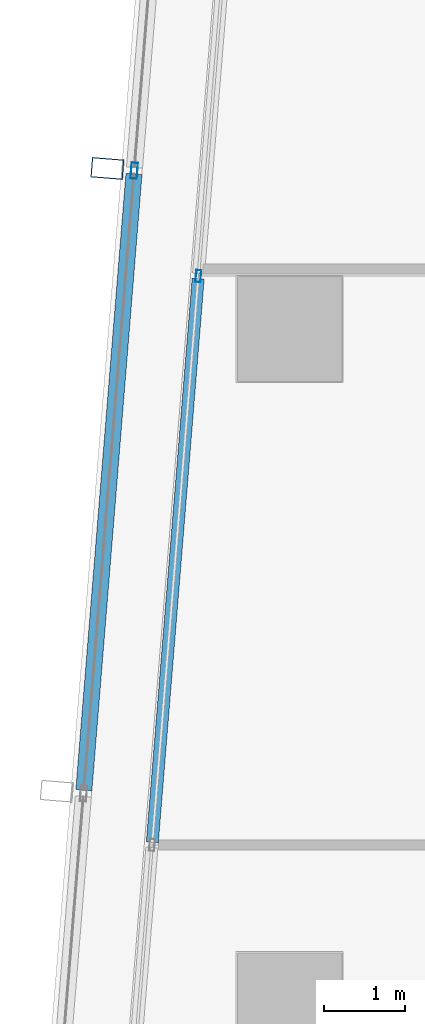
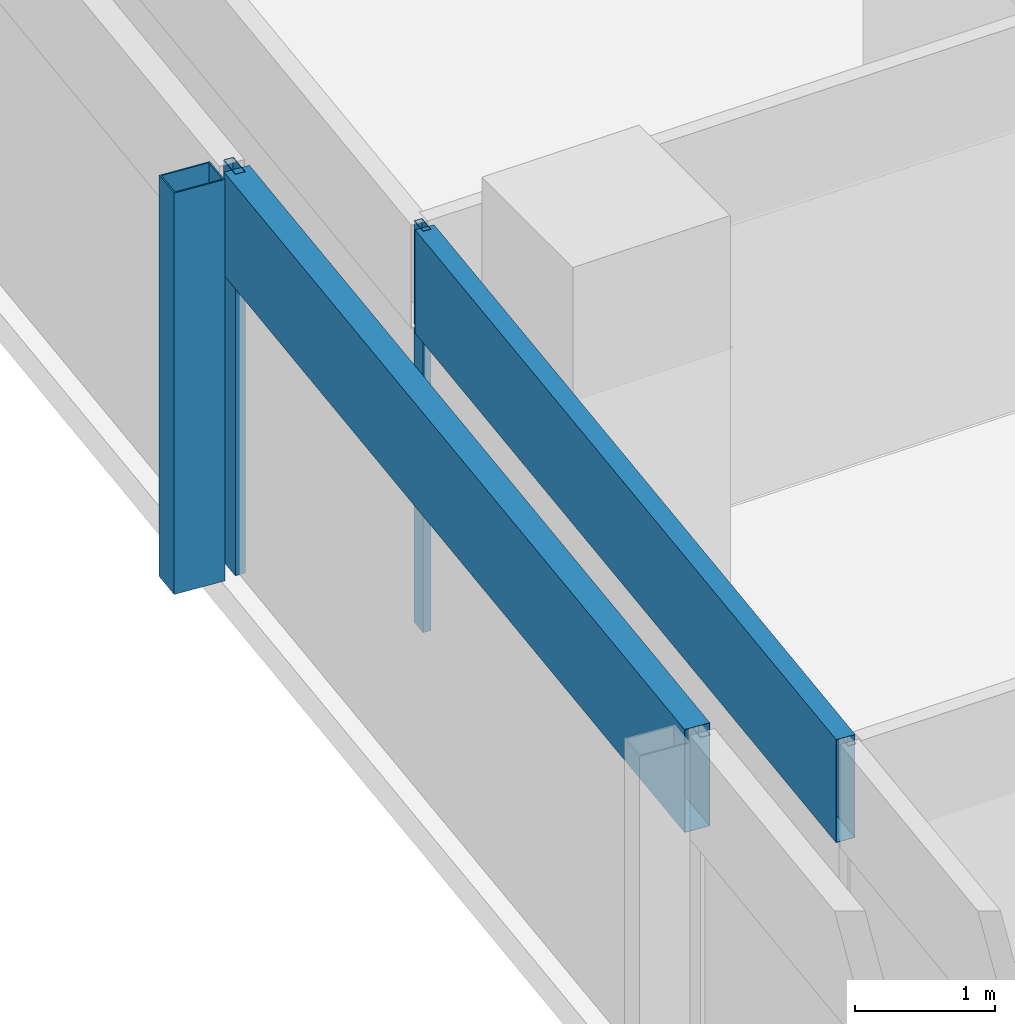
# One storey, part 8 of 29: 5 members, 2 elements without a shape of their own.
"""IFC4 building model written with IfcOpenShell, lengths in metres."""

from ifc_helpers import new_model, si_unit, direction, frame, origin, origin_2d, place, context, subcontext, project, spatial, hollow_rectangle, extrude, material, material_profile, profile_set, type_object, element, aggregate, save


model = new_model("IFC4")

# Units and contexts
model_context = context("Model", 3, precision=1e-05, world=origin(), true_north=direction((0.0, 1.0)))
body_context = subcontext(model_context, "Body", "Model", "MODEL_VIEW")
ifc_project = project(units=[si_unit("LENGTHUNIT", "METRE"), si_unit("AREAUNIT", "SQUARE_METRE"), si_unit("VOLUMEUNIT", "CUBIC_METRE"), si_unit("PLANEANGLEUNIT", "RADIAN"), si_unit("MASSUNIT", "GRAM", prefix="KILO")], contexts=[model_context])

# Site, building, storey
site_placement = place(None, origin())
site = spatial("IfcSite", under=ifc_project, at=site_placement, CompositionType="ELEMENT")
building_placement = place(site_placement, origin())
building = spatial("IfcBuilding", under=site, at=building_placement, Name="Rekha Terrace Tower", CompositionType="ELEMENT")
storey_placement = place(building_placement, frame((0.0, 0.0, 280.10009765625)))
storey = spatial("IfcBuildingStorey", under=building, at=storey_placement, Name="L71", CompositionType="ELEMENT", Elevation=280.10009765625)

# Curtain wall, member
ifc_material_1 = material(Name="Aluminium framing", Category="aluminium")
curtain_wall_type_1 = type_object("IfcCurtainWallType", Name="CW2 double skin outer glazing", PredefinedType="USERDEFINED", material=ifc_material_1)
curtain_wall_1_placement = place(storey_placement, origin())
curtain_wall_1 = element("IfcCurtainWall", 1, at=curtain_wall_1_placement, inside=storey, type_object=curtain_wall_type_1, Name="CW2 double skin outer glazing", ObjectType="DOUBLE SKIN OUTER GLAZING", PredefinedType="USERDEFINED")
ifc_material_2 = material(Name="Steel S355 with fluorocarbon finish", Category="steel")
ifc_material_profile_1 = material_profile(ifc_material_2, hollow_rectangle(XDim=0.25, YDim=0.39990234375, WallThickness=0.012451171875, at=origin_2d()), Name="RHS400x250x12.5")
ifc_profile_set_1 = profile_set([ifc_material_profile_1], Name="Steel S355 with fluorocarbon finish")
member_type_1 = type_object("IfcMemberType", Name="BL1 facade blade RHS 400 x 250", PredefinedType="USERDEFINED", material=ifc_profile_set_1)
member_1_placement = place(storey_placement, frame((6.135498046875, 43.9931640625, 0.0), z_axis=(0.0, 0.0, 1.0), x_axis=(-0.081068747348, -0.996708512156, 0.0)))
member_1 = element("IfcMember", 2, at=member_1_placement, type_object=member_type_1, Name="Facade blade", ObjectType="FACADE BLADE", PredefinedType="USERDEFINED", context=body_context, shape_type="SweptSolid", body=[
    extrude(hollow_rectangle(XDim=0.25, YDim=0.39990234375, WallThickness=0.012451171875, at=origin_2d()), origin(), (0.0, 0.0, 1.0), 3.5),
])

# Curtain wall, members
curtain_wall_type_2 = type_object("IfcCurtainWallType", Name="CW1 double skin inner glazing", PredefinedType="USERDEFINED", material=ifc_material_1)
curtain_wall_2_placement = place(storey_placement, origin())
curtain_wall_2 = element("IfcCurtainWall", 3, at=curtain_wall_2_placement, inside=storey, type_object=curtain_wall_type_2, Name="CW1 double skin inner glazing", ObjectType="DOUBLE SKIN INNER GLAZING", PredefinedType="USERDEFINED")
ifc_material_3 = material(Name="Aluminium mullion section", Category="aluminium")
ifc_material_profile_2 = material_profile(ifc_material_3, hollow_rectangle(XDim=0.06494140625, YDim=0.14990234375, WallThickness=0.00390625, at=origin_2d()), Name="AL RHS 65x150")
ifc_profile_set_2 = profile_set([ifc_material_profile_2], Name="Aluminium mullion section")
member_type_2 = type_object("IfcMemberType", Name="CW1 mullion RHS 65 x 150", PredefinedType="MULLION", material=ifc_profile_set_2)
member_2_placement = place(storey_placement, frame((7.265625, 42.65625, 0.0), z_axis=(0.0, 0.0, 1.0), x_axis=(0.996708580524, -0.081067906781, 0.0)))
member_2 = element("IfcMember", 4, at=member_2_placement, type_object=member_type_2, Name="CW1 mullion 2", PredefinedType="MULLION", context=body_context, shape_type="SweptSolid", body=[
    extrude(hollow_rectangle(XDim=0.06494140625, YDim=0.14990234375, WallThickness=0.00390625, at=origin_2d()), origin(), (0.0, 0.0, 1.0), 3.5),
])
ifc_material_4 = material(Name="Insulated aluminium spandrel box", Category="aluminium")
ifc_material_profile_3 = material_profile(ifc_material_4, hollow_rectangle(XDim=0.14990234375, YDim=0.89990234375, WallThickness=0.0029296875, at=origin_2d()), Name="AL SPANDREL BOX 150x900")
ifc_profile_set_3 = profile_set([ifc_material_profile_3], Name="Insulated aluminium spandrel box")
member_type_3 = type_object("IfcMemberType", Name="CW1 spandrel transom 150 x 900", PredefinedType="USERDEFINED", material=ifc_profile_set_3)
member_3_placement = place(storey_placement, frame((7.26318359375, 42.623779296875, 3.0498046875), z_axis=(-0.081080883426, -0.996707524976, 0.0), x_axis=(0.996707524976, -0.081080883426, 0.0)))
member_3 = element("IfcMember", 5, at=member_3_placement, type_object=member_type_3, Name="CW1 spandrel transom 2", ObjectType="TRANSOM", PredefinedType="USERDEFINED", context=body_context, shape_type="SweptSolid", body=[
    extrude(hollow_rectangle(XDim=0.14990234375, YDim=0.89990234375, WallThickness=0.0029296875, at=origin_2d()), origin(), (0.0, 0.0, 1.0), 7.02490234375),
])
aggregate(curtain_wall_2, [member_2, member_3])

# Member
ifc_material_profile_4 = material_profile(ifc_material_3, hollow_rectangle(XDim=0.080078125, YDim=0.199951171875, WallThickness=0.00390625, at=origin_2d()), Name="AL RHS 80x200")
ifc_profile_set_4 = profile_set([ifc_material_profile_4], Name="Aluminium mullion section")
member_type_4 = type_object("IfcMemberType", Name="CW2 mullion RHS 80 x 200", PredefinedType="MULLION", material=ifc_profile_set_4)
member_4_placement = place(storey_placement, frame((6.46923828125, 43.9658203125, 0.0), z_axis=(0.0, 0.0, 1.0), x_axis=(0.996708580521, -0.081067906816, 0.0)))
member_4 = element("IfcMember", 6, at=member_4_placement, type_object=member_type_4, Name="CW2 mullion 2", PredefinedType="MULLION", context=body_context, shape_type="SweptSolid", body=[
    extrude(hollow_rectangle(XDim=0.080078125, YDim=0.199951171875, WallThickness=0.00390625, at=origin_2d()), origin(), (0.0, 0.0, 1.0), 3.5),
])

ifc_material_profile_5 = material_profile(ifc_material_4, hollow_rectangle(XDim=0.199951171875, YDim=0.89990234375, WallThickness=0.0029296875, at=origin_2d()), Name="AL SPANDREL BOX 200x900")
ifc_profile_set_5 = profile_set([ifc_material_profile_5], Name="Insulated aluminium spandrel box")
member_type_5 = type_object("IfcMemberType", Name="CW2 spandrel transom 200 x 900", PredefinedType="USERDEFINED", material=ifc_profile_set_5)
member_5_placement = place(storey_placement, frame((6.466064453125, 43.926025390625, 3.0498046875), z_axis=(-0.081082991857, -0.996707353455, 0.0), x_axis=(0.996707353455, -0.081082991857, 0.0)))
member_5 = element("IfcMember", 7, at=member_5_placement, type_object=member_type_5, Name="CW2 spandrel transom 2", ObjectType="TRANSOM", PredefinedType="USERDEFINED", context=body_context, shape_type="SweptSolid", body=[
    extrude(hollow_rectangle(XDim=0.199951171875, YDim=0.89990234375, WallThickness=0.0029296875, at=origin_2d()), origin(), (0.0, 0.0, 1.0), 7.68115234375),
])

aggregate(curtain_wall_1, [member_4, member_5, member_1])

save(model, "model.ifc")
